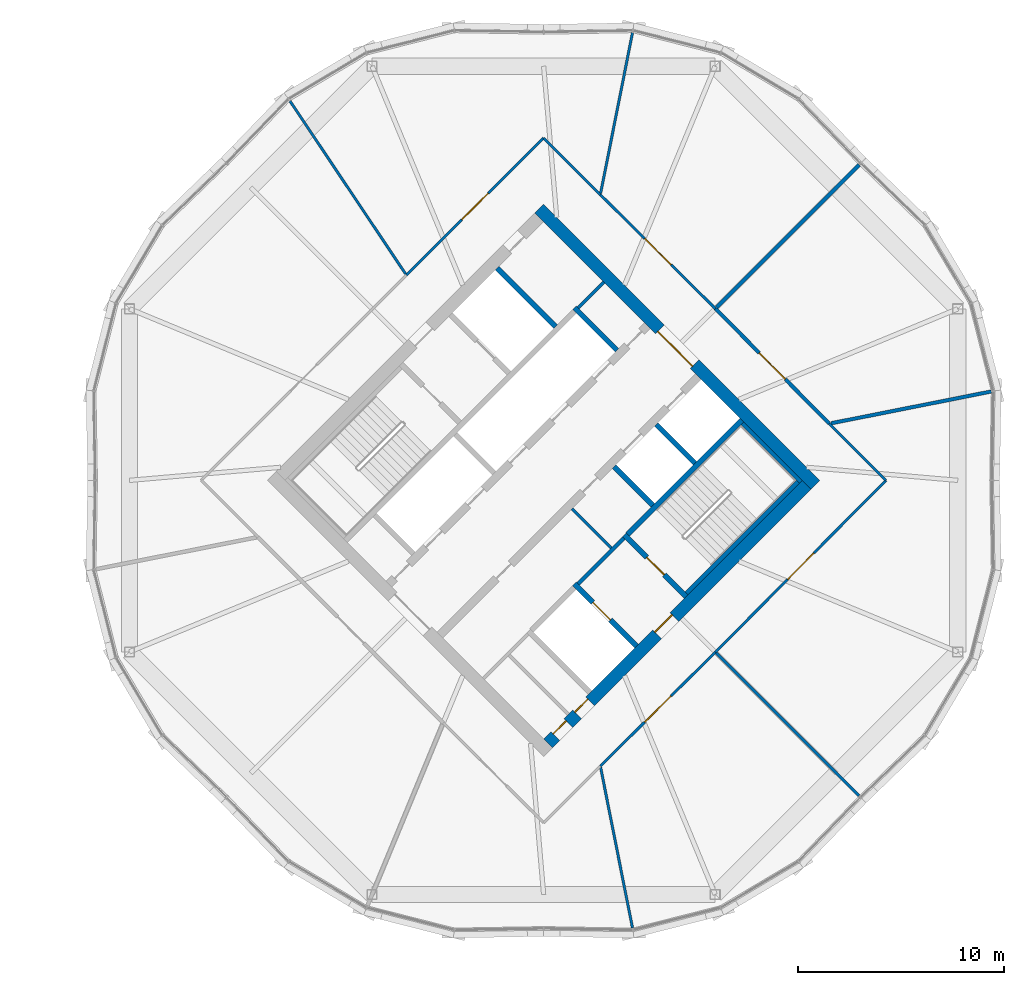
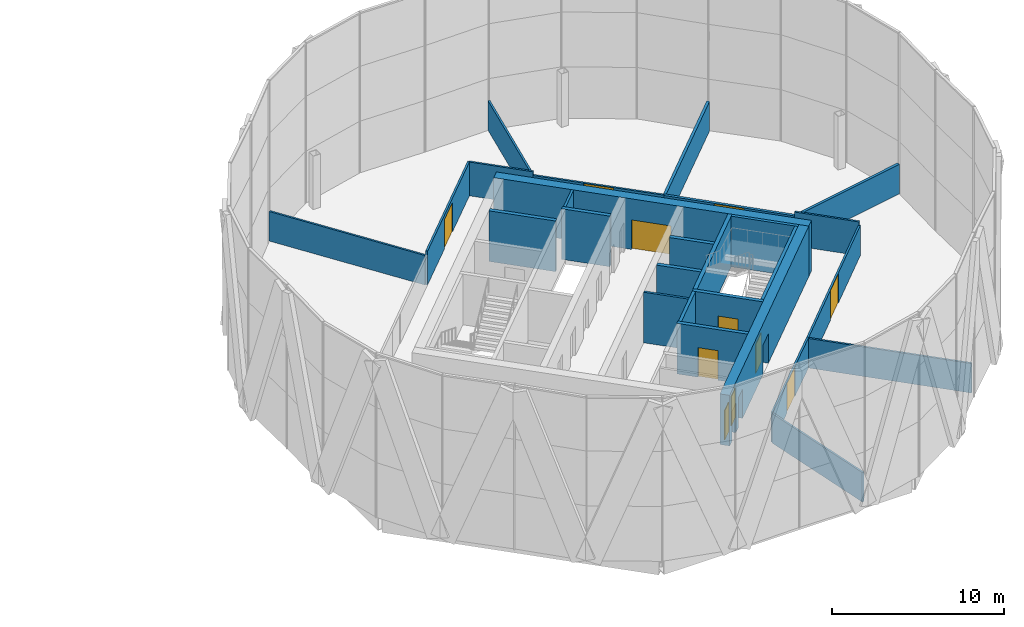
# One storey, part 20 of 23: 27 walls, 11 doors, 11 openings.
"""IFC4 building model written with IfcOpenShell, lengths in metres."""

from ifc_helpers import new_model, si_unit, direction, frame, frame_2d, origin, place, context, subcontext, project, spatial, rectangle, extrude, material, layer, layer_set, type_object, element, fill, save


model = new_model("IFC4")

# Units and contexts
model_context = context("Model", 3, precision=1e-05, world=origin(), true_north=direction((0.0, 1.0)))
body_context = subcontext(model_context, "Body", "Model", "MODEL_VIEW")
ifc_project = project(units=[si_unit("LENGTHUNIT", "METRE"), si_unit("AREAUNIT", "SQUARE_METRE"), si_unit("VOLUMEUNIT", "CUBIC_METRE"), si_unit("PLANEANGLEUNIT", "RADIAN"), si_unit("MASSUNIT", "GRAM", prefix="KILO")], contexts=[model_context])

# Site, building, storey
site_placement = place(None, origin())
site = spatial("IfcSite", under=ifc_project, at=site_placement, CompositionType="ELEMENT")
building_placement = place(site_placement, origin())
building = spatial("IfcBuilding", under=site, at=building_placement, Name="Ogive Gate Towers", CompositionType="ELEMENT")
storey_placement = place(building_placement, frame((0.0, 0.0, 177.300048828125)))
storey = spatial("IfcBuildingStorey", under=building, at=storey_placement, Name="L42", CompositionType="ELEMENT", Elevation=177.300048828125)

# Walls
ifc_material_1 = material(Name="Gypsum board acoustic partition")
ifc_layer_1 = layer(ifc_material_1, 0.175048828125)
ifc_layer_set_1 = layer_set([ifc_layer_1], Name="Acoustic partition 175")
wall_type_1 = type_object("IfcWallType", Name="Acoustic partition 175", PredefinedType="PARTITIONING", material=ifc_layer_set_1)
wall_1_placement = place(storey_placement, frame((57.784423828125, 4.324951171875, 0.0), z_axis=(0.0, 0.0, 1.0), x_axis=(-0.980858380129, -0.19472246437, 0.0)))
element("IfcWall", 1, at=wall_1_placement, inside=storey, type_object=wall_type_1, Name="Partition T2-L42-001", PredefinedType="PARTITIONING", context=body_context, shape_type="SweptSolid", body=[
    extrude(rectangle(XDim=7.951416015625, YDim=0.175048828125, at=frame_2d((3.9755859375, 0.0))), origin(), (0.0, 0.0, 1.0), 2.099853515625),
])
wall_2_placement = place(storey_placement, frame((51.3505859375, 15.3505859375, 0.0), z_axis=(0.0, 0.0, 1.0), x_axis=(-0.707106781187, -0.707106781187, 0.0)))
element("IfcWall", 2, at=wall_2_placement, inside=storey, type_object=wall_type_1, Name="Partition T2-L42-002", PredefinedType="PARTITIONING", context=body_context, shape_type="SweptSolid", body=[
    extrude(rectangle(XDim=9.801513671875, YDim=0.175048828125, at=frame_2d((4.90087890625, 0.0))), origin(), (0.0, 0.0, 1.0), 2.099853515625),
])

# Wall, opening, door
wall_3_placement = place(storey_placement, frame((49.8994140625, 2.759521484375, 0.0), z_axis=(0.0, 0.0, 1.0), x_axis=(-0.703486838198, 0.710708286488, 0.0)))
wall_3 = element("IfcWall", 3, at=wall_3_placement, inside=storey, type_object=wall_type_1, Name="Partition T2-L42-020", PredefinedType="PARTITIONING", context=body_context, shape_type="SweptSolid", body=[
    extrude(rectangle(XDim=7.877197265625, YDim=0.175048828125, at=frame_2d((3.9384765625, 0.0))), origin(), (0.0, 0.0, 1.0), 2.139892578125),
])
opening_1_placement = place(wall_3_placement, frame((3.0390625, 0.0, 0.0)))
opening_1 = element("IfcOpeningElement", 4, at=opening_1_placement, cuts=wall_3, Name="Opening T2-L42-D08", PredefinedType="OPENING", context=body_context, shape_type="SweptSolid", body=[
    extrude(rectangle(XDim=1.800048828125, YDim=2.10009765625, at=frame_2d((0.89990234375, 1.050048828125))), frame((0.0, 0.09765625, 0.0), z_axis=(0.0, -1.0, 0.0), x_axis=(1.0, 0.0, 0.0)), (0.0, 0.0, 1.0), 0.195068359375),
])
ifc_material_2 = material(Name="Timber door", Category="wood")
door_type_1 = type_object("IfcDoorType", Name="Door pair 1800", OperationType="NOTDEFINED", PredefinedType="DOOR", material=ifc_material_2)
door_1_placement = place(opening_1_placement, origin())
door_1 = element("IfcDoor", 5, at=door_1_placement, inside=storey, type_object=door_type_1, Name="Door T2-L42-D08", OperationType="DOUBLE_DOOR_DOUBLE_SWING", OverallHeight=2.10009765625, OverallWidth=1.800048828125, PredefinedType="DOOR", context=body_context, shape_type="SweptSolid", body=[
    extrude(rectangle(XDim=1.800048828125, YDim=2.10009765625, at=frame_2d((0.89990234375, 1.050048828125))), frame((0.0, 0.02490234375, 0.0), z_axis=(0.0, -1.0, 0.0), x_axis=(1.0, 0.0, 0.0)), (0.0, 0.0, 1.0), 0.050048828125),
])
fill(opening_1, door_1)

# Wall
ifc_material_3 = material(Name="Masonry blockwork", Category="masonry")
ifc_layer_2 = layer(ifc_material_3, 0.199951171875)
ifc_layer_set_2 = layer_set([ifc_layer_2], Name="Blockwork wall 200 mm")
wall_type_2 = type_object("IfcWallType", Name="Blockwork wall 200 mm", PredefinedType="PARTITIONING", material=ifc_layer_set_2)
wall_4_placement = place(storey_placement, frame((37.679443359375, -5.0380859375, 0.0), z_axis=(0.0, 0.0, 1.0), x_axis=(0.707106781187, 0.707106781187, 0.0)))
element("IfcWall", 6, at=wall_4_placement, inside=storey, type_object=wall_type_2, Name="T2 L42 Blockwork wall 200 mm", PredefinedType="PARTITIONING", context=body_context, shape_type="SweptSolid", body=[
    extrude(rectangle(XDim=3.14990234375, YDim=0.199951171875, at=frame_2d((1.574951171875, 0.0))), origin(), (0.0, 0.0, 1.0), 3.599853515625),
])

# Wall, openings, doors
ifc_material_4 = material(Name="Concrete C60/75", Category="concrete")
ifc_layer_3 = layer(ifc_material_4, 0.60009765625)
ifc_layer_set_3 = layer_set([ifc_layer_3], Name="Core wall 600 mm")
wall_type_3 = type_object("IfcWallType", Name="Core wall 600 mm", PredefinedType="SHEAR", material=ifc_layer_set_3)
wall_5_placement = place(storey_placement, frame((36.212158203125, -12.798583984375, 0.0), z_axis=(0.0, 0.0, 1.0), x_axis=(0.707106781187, 0.707106781187, 0.0)))
wall_5 = element("IfcWall", 7, at=wall_5_placement, inside=storey, type_object=wall_type_3, Name="T2 L42 Core wall 600 mm", PredefinedType="SHEAR", context=body_context, shape_type="SweptSolid", body=[
    extrude(rectangle(XDim=17.7998046875, YDim=0.60009765625, at=frame_2d((8.89990234375, 0.0))), origin(), (0.0, 0.0, 1.0), 3.599853515625),
])
opening_2_placement = place(wall_5_placement, frame((7.5, 0.0, 0.0)))
opening_2 = element("IfcOpeningElement", 8, at=opening_2_placement, cuts=wall_5, Name="Opening KD-T2-L42-19", PredefinedType="OPENING", context=body_context, shape_type="SweptSolid", body=[
    extrude(rectangle(XDim=1.199951171875, YDim=2.10009765625, at=frame_2d((0.60009765625, 1.050048828125))), frame((0.0, 0.31005859375, 0.0), z_axis=(0.0, -1.0, 0.0), x_axis=(1.0, 0.0, 0.0)), (0.0, 0.0, 1.0), 0.6201171875),
])
opening_3_placement = place(wall_5_placement, frame((0.5, 0.0, 0.0)))
opening_3 = element("IfcOpeningElement", 9, at=opening_3_placement, cuts=wall_5, Name="Opening KD-T2-L42-21", PredefinedType="OPENING", context=body_context, shape_type="SweptSolid", body=[
    extrude(rectangle(XDim=0.89990234375, YDim=2.10009765625, at=frame_2d((0.449951171875, 1.050048828125))), frame((0.0, 0.31005859375, 0.0), z_axis=(0.0, -1.0, 0.0), x_axis=(1.0, 0.0, 0.0)), (0.0, 0.0, 1.0), 0.6201171875),
])
opening_4_placement = place(wall_5_placement, frame((2.0, 0.0, 0.0)))
opening_4 = element("IfcOpeningElement", 10, at=opening_4_placement, cuts=wall_5, Name="Opening KD-T2-L42-22", PredefinedType="OPENING", context=body_context, shape_type="SweptSolid", body=[
    extrude(rectangle(XDim=0.89990234375, YDim=2.10009765625, at=frame_2d((0.449951171875, 1.050048828125))), frame((0.0, 0.31005859375, 0.0), z_axis=(0.0, -1.0, 0.0), x_axis=(1.0, 0.0, 0.0)), (0.0, 0.0, 1.0), 0.6201171875),
])
door_type_2 = type_object("IfcDoorType", Name="Core WC door 900 x 2100", OperationType="NOTDEFINED", PredefinedType="DOOR", material=ifc_material_2)
door_2_placement = place(opening_3_placement, origin())
door_2 = element("IfcDoor", 11, at=door_2_placement, inside=storey, type_object=door_type_2, Name="T2 L42 Core door", OperationType="SINGLE_SWING_RIGHT", OverallHeight=2.10009765625, OverallWidth=0.89990234375, PredefinedType="DOOR", context=body_context, shape_type="SweptSolid", body=[
    extrude(rectangle(XDim=0.89990234375, YDim=2.10009765625, at=frame_2d((0.449951171875, 1.050048828125))), frame((0.0, 0.1748046875, 0.0), z_axis=(0.0, -1.0, 0.0), x_axis=(1.0, 0.0, 0.0)), (0.0, 0.0, 1.0), 0.050048828125),
])
fill(opening_3, door_2)
door_3_placement = place(opening_4_placement, origin())
door_3 = element("IfcDoor", 12, at=door_3_placement, inside=storey, type_object=door_type_2, Name="T2 L42 Core door", OperationType="SINGLE_SWING_LEFT", OverallHeight=2.10009765625, OverallWidth=0.89990234375, PredefinedType="DOOR", context=body_context, shape_type="SweptSolid", body=[
    extrude(rectangle(XDim=0.89990234375, YDim=2.10009765625, at=frame_2d((0.449951171875, 1.050048828125))), frame((0.0, 0.1748046875, 0.0), z_axis=(0.0, -1.0, 0.0), x_axis=(1.0, 0.0, 0.0)), (0.0, 0.0, 1.0), 0.050048828125),
])
fill(opening_4, door_3)
ifc_material_5 = material(Name="Steel fire door", Category="steel")
door_type_3 = type_object("IfcDoorType", Name="Core door FD60S 1200 x 2100", OperationType="NOTDEFINED", PredefinedType="DOOR", material=ifc_material_5)
door_4_placement = place(opening_2_placement, origin())
door_4 = element("IfcDoor", 13, at=door_4_placement, inside=storey, type_object=door_type_3, Name="T2 L42 Fire-fighting lobby door", OperationType="SINGLE_SWING_RIGHT", OverallHeight=2.10009765625, OverallWidth=1.199951171875, PredefinedType="DOOR", context=body_context, shape_type="SweptSolid", body=[
    extrude(rectangle(XDim=1.199951171875, YDim=2.10009765625, at=frame_2d((0.60009765625, 1.050048828125))), frame((0.0, 0.1748046875, 0.0), z_axis=(0.0, -1.0, 0.0), x_axis=(1.0, 0.0, 0.0)), (0.0, 0.0, 1.0), 0.050048828125),
])
fill(opening_2, door_4)

# Wall, opening, door
wall_6_placement = place(storey_placement, frame((49.222900390625, -0.212158203125, 0.0), z_axis=(0.0, 0.0, 1.0), x_axis=(-0.707106781187, 0.707106781187, 0.0)))
wall_6 = element("IfcWall", 14, at=wall_6_placement, inside=storey, type_object=wall_type_3, Name="T2 L42 Core wall 600 mm", PredefinedType="SHEAR", context=body_context, shape_type="SweptSolid", body=[
    extrude(rectangle(XDim=19.0, YDim=0.60009765625, at=frame_2d((9.5, 0.0))), origin(), (0.0, 0.0, 1.0), 3.599853515625),
])
opening_5_placement = place(wall_6_placement, frame((8.300048828125, 0.0, 0.0)))
opening_5 = element("IfcOpeningElement", 15, at=opening_5_placement, cuts=wall_6, Name="Opening KD-T2-L42-02", PredefinedType="OPENING", context=body_context, shape_type="SweptSolid", body=[
    extrude(rectangle(XDim=2.39990234375, YDim=2.10009765625, at=frame_2d((1.199951171875, 1.050048828125))), frame((0.0, 0.31005859375, 0.0), z_axis=(0.0, -1.0, 0.0), x_axis=(1.0, 0.0, 0.0)), (0.0, 0.0, 1.0), 0.6201171875),
])
door_type_4 = type_object("IfcDoorType", Name="Core double door FD60S 2400 x 2100", OperationType="DOUBLE_DOOR_SINGLE_SWING", PredefinedType="DOOR", material=ifc_material_5)
door_5_placement = place(opening_5_placement, origin())
door_5 = element("IfcDoor", 16, at=door_5_placement, inside=storey, type_object=door_type_4, Name="T2 L42 Core door double", OperationType="DOUBLE_DOOR_SINGLE_SWING", OverallHeight=2.10009765625, OverallWidth=2.39990234375, PredefinedType="DOOR", context=body_context, shape_type="SweptSolid", body=[
    extrude(rectangle(XDim=2.39990234375, YDim=2.10009765625, at=frame_2d((1.199951171875, 1.050048828125))), frame((0.0, 0.1748046875, 0.0), z_axis=(0.0, -1.0, 0.0), x_axis=(1.0, 0.0, 0.0)), (0.0, 0.0, 1.0), 0.050048828125),
])
fill(opening_5, door_5)

# Walls
ifc_material_6 = material(Name="Gypsum board partition")
ifc_layer_4 = layer(ifc_material_6, 0.125)
ifc_layer_set_4 = layer_set([ifc_layer_4], Name="Partition 125")
wall_type_4 = type_object("IfcWallType", Name="Partition 125", PredefinedType="PARTITIONING", material=ifc_layer_set_4)
wall_7_placement = place(storey_placement, frame((40.324951171875, 21.784423828125, 0.0), z_axis=(0.0, 0.0, 1.0), x_axis=(-0.194756262112, -0.980851669911, 0.0)))
element("IfcWall", 17, at=wall_7_placement, inside=storey, type_object=wall_type_4, Name="Partition T2-L42-003", PredefinedType="PARTITIONING", context=body_context, shape_type="SweptSolid", body=[
    extrude(rectangle(XDim=7.9765625, YDim=0.125, at=frame_2d((3.98828125, 0.0))), origin(), (0.0, 0.0, 1.0), 2.099853515625),
])
wall_8_placement = place(storey_placement, frame((23.654296875, 18.462158203125, 0.0), z_axis=(0.0, 0.0, 1.0), x_axis=(0.555873550817, -0.831266861785, 0.0)))
element("IfcWall", 18, at=wall_8_placement, inside=storey, type_object=wall_type_4, Name="Partition T2-L42-004", PredefinedType="PARTITIONING", context=body_context, shape_type="SweptSolid", body=[
    extrude(rectangle(XDim=10.126708984375, YDim=0.125, at=frame_2d((5.0634765625, 0.0))), origin(), (0.0, 0.0, 1.0), 2.099853515625),
])
wall_9_placement = place(storey_placement, frame((40.324951171875, -21.784423828125, 0.0), z_axis=(0.0, 0.0, 1.0), x_axis=(-0.194756262112, 0.980851669911, 0.0)))
element("IfcWall", 19, at=wall_9_placement, inside=storey, type_object=wall_type_4, Name="Partition T2-L42-007", PredefinedType="PARTITIONING", context=body_context, shape_type="SweptSolid", body=[
    extrude(rectangle(XDim=7.9765625, YDim=0.125, at=frame_2d((3.98828125, 0.0))), origin(), (0.0, 0.0, 1.0), 2.099853515625),
])
wall_10_placement = place(storey_placement, frame((51.3505859375, -15.3505859375, 0.0), z_axis=(0.0, 0.0, 1.0), x_axis=(-0.707106781187, 0.707106781187, 0.0)))
element("IfcWall", 20, at=wall_10_placement, inside=storey, type_object=wall_type_4, Name="Partition T2-L42-008", PredefinedType="PARTITIONING", context=body_context, shape_type="SweptSolid", body=[
    extrude(rectangle(XDim=9.82666015625, YDim=0.125, at=frame_2d((4.913330078125, 0.0))), origin(), (0.0, 0.0, 1.0), 2.099853515625),
])

# Wall, opening, door
wall_11_placement = place(storey_placement, frame((44.35791015625, 8.35791015625, 0.0), z_axis=(0.0, 0.0, 1.0), x_axis=(-0.710708286488, 0.703486838198, 0.0)))
wall_11 = element("IfcWall", 21, at=wall_11_placement, inside=storey, type_object=wall_type_4, Name="Partition T2-L42-009", PredefinedType="PARTITIONING", context=body_context, shape_type="SweptSolid", body=[
    extrude(rectangle(XDim=7.877197265625, YDim=0.125, at=frame_2d((3.9384765625, 0.0))), origin(), (0.0, 0.0, 1.0), 2.139892578125),
])
opening_6_placement = place(wall_11_placement, frame((3.0390625, 0.0, 0.0)))
opening_6 = element("IfcOpeningElement", 22, at=opening_6_placement, cuts=wall_11, Name="Opening T2-L42-D01", PredefinedType="OPENING", context=body_context, shape_type="SweptSolid", body=[
    extrude(rectangle(XDim=1.800048828125, YDim=2.10009765625, at=frame_2d((0.89990234375, 1.050048828125))), frame((0.0, 0.072509765625, 0.0), z_axis=(0.0, -1.0, 0.0), x_axis=(1.0, 0.0, 0.0)), (0.0, 0.0, 1.0), 0.14501953125),
])
door_6_placement = place(opening_6_placement, origin())
door_6 = element("IfcDoor", 23, at=door_6_placement, inside=storey, type_object=door_type_1, Name="Door T2-L42-D01", OperationType="DOUBLE_DOOR_DOUBLE_SWING", OverallHeight=2.10009765625, OverallWidth=1.800048828125, PredefinedType="DOOR", context=body_context, shape_type="SweptSolid", body=[
    extrude(rectangle(XDim=1.800048828125, YDim=2.10009765625, at=frame_2d((0.89990234375, 1.050048828125))), frame((0.0, 0.02490234375, 0.0), z_axis=(0.0, -1.0, 0.0), x_axis=(1.0, 0.0, 0.0)), (0.0, 0.0, 1.0), 0.050048828125),
])
fill(opening_6, door_6)

wall_12_placement = place(storey_placement, frame((36.0, 16.659423828125, 0.0), z_axis=(0.0, 0.0, 1.0), x_axis=(-0.707882286936, -0.706330423981, 0.0)))
wall_12 = element("IfcWall", 24, at=wall_12_placement, inside=storey, type_object=wall_type_4, Name="Partition T2-L42-010", PredefinedType="PARTITIONING", context=body_context, shape_type="SweptSolid", body=[
    extrude(rectangle(XDim=9.439208984375, YDim=0.125, at=frame_2d((4.7197265625, 0.0))), origin(), (0.0, 0.0, 1.0), 2.39990234375),
])
opening_7_placement = place(wall_12_placement, frame((3.820068359375, 0.0, 0.0)))
opening_7 = element("IfcOpeningElement", 25, at=opening_7_placement, cuts=wall_12, Name="Opening T2-L42-D02", PredefinedType="OPENING", context=body_context, shape_type="SweptSolid", body=[
    extrude(rectangle(XDim=1.800048828125, YDim=2.10009765625, at=frame_2d((0.89990234375, 1.050048828125))), frame((0.0, 0.072509765625, 0.0), z_axis=(0.0, -1.0, 0.0), x_axis=(1.0, 0.0, 0.0)), (0.0, 0.0, 1.0), 0.14501953125),
])
door_7_placement = place(opening_7_placement, origin())
door_7 = element("IfcDoor", 26, at=door_7_placement, inside=storey, type_object=door_type_1, Name="Door T2-L42-D02", OperationType="DOUBLE_DOOR_DOUBLE_SWING", OverallHeight=2.10009765625, OverallWidth=1.800048828125, PredefinedType="DOOR", context=body_context, shape_type="SweptSolid", body=[
    extrude(rectangle(XDim=1.800048828125, YDim=2.10009765625, at=frame_2d((0.89990234375, 1.050048828125))), frame((0.0, 0.02490234375, 0.0), z_axis=(0.0, -1.0, 0.0), x_axis=(1.0, 0.0, 0.0)), (0.0, 0.0, 1.0), 0.050048828125),
])
fill(opening_7, door_7)

# Wall
wall_13_placement = place(storey_placement, frame((38.759521484375, 13.8994140625, 0.0), z_axis=(0.0, 0.0, 1.0), x_axis=(-0.707044224741, 0.707169332098, 0.0)))
element("IfcWall", 27, at=wall_13_placement, inside=storey, type_object=wall_type_4, Name="Partition T2-L42-011", PredefinedType="PARTITIONING", context=body_context, shape_type="SweptSolid", body=[
    extrude(rectangle(XDim=3.90283203125, YDim=0.125, at=frame_2d((1.951416015625, 0.0))), origin(), (0.0, 0.0, 1.0), 2.39990234375),
])

# Wall, opening, door
wall_14_placement = place(storey_placement, frame((38.759521484375, -13.8994140625, 0.0), z_axis=(0.0, 0.0, 1.0), x_axis=(0.710708286488, 0.703486838198, 0.0)))
wall_14 = element("IfcWall", 28, at=wall_14_placement, inside=storey, type_object=wall_type_4, Name="Partition T2-L42-017", PredefinedType="PARTITIONING", context=body_context, shape_type="SweptSolid", body=[
    extrude(rectangle(XDim=7.877197265625, YDim=0.125, at=frame_2d((3.9384765625, 0.0))), origin(), (0.0, 0.0, 1.0), 2.139892578125),
])
opening_8_placement = place(wall_14_placement, frame((3.0390625, 0.0, 0.0)))
opening_8 = element("IfcOpeningElement", 29, at=opening_8_placement, cuts=wall_14, Name="Opening T2-L42-D06", PredefinedType="OPENING", context=body_context, shape_type="SweptSolid", body=[
    extrude(rectangle(XDim=1.800048828125, YDim=2.10009765625, at=frame_2d((0.89990234375, 1.050048828125))), frame((0.0, 0.072509765625, 0.0), z_axis=(0.0, -1.0, 0.0), x_axis=(1.0, 0.0, 0.0)), (0.0, 0.0, 1.0), 0.14501953125),
])
door_8_placement = place(opening_8_placement, origin())
door_8 = element("IfcDoor", 30, at=door_8_placement, inside=storey, type_object=door_type_1, Name="Door T2-L42-D06", OperationType="DOUBLE_DOOR_DOUBLE_SWING", OverallHeight=2.10009765625, OverallWidth=1.800048828125, PredefinedType="DOOR", context=body_context, shape_type="SweptSolid", body=[
    extrude(rectangle(XDim=1.800048828125, YDim=2.10009765625, at=frame_2d((0.89990234375, 1.050048828125))), frame((0.0, 0.02490234375, 0.0), z_axis=(0.0, -1.0, 0.0), x_axis=(1.0, 0.0, 0.0)), (0.0, 0.0, 1.0), 0.050048828125),
])
fill(opening_8, door_8)

wall_15_placement = place(storey_placement, frame((44.35791015625, -8.35791015625, 0.0), z_axis=(0.0, 0.0, 1.0), x_axis=(0.70470900278, 0.709496456229, 0.0)))
wall_15 = element("IfcWall", 31, at=wall_15_placement, inside=storey, type_object=wall_type_4, Name="Partition T2-L42-018", PredefinedType="PARTITIONING", context=body_context, shape_type="SweptSolid", body=[
    extrude(rectangle(XDim=11.780029296875, YDim=0.125, at=frame_2d((5.89013671875, 0.0))), origin(), (0.0, 0.0, 1.0), 2.139892578125),
])
opening_9_placement = place(wall_15_placement, frame((4.989990234375, 0.0, 0.0)))
opening_9 = element("IfcOpeningElement", 32, at=opening_9_placement, cuts=wall_15, Name="Opening T2-L42-D07", PredefinedType="OPENING", context=body_context, shape_type="SweptSolid", body=[
    extrude(rectangle(XDim=1.800048828125, YDim=2.10009765625, at=frame_2d((0.89990234375, 1.050048828125))), frame((0.0, 0.072509765625, 0.0), z_axis=(0.0, -1.0, 0.0), x_axis=(1.0, 0.0, 0.0)), (0.0, 0.0, 1.0), 0.14501953125),
])
door_9_placement = place(opening_9_placement, origin())
door_9 = element("IfcDoor", 33, at=door_9_placement, inside=storey, type_object=door_type_1, Name="Door T2-L42-D07", OperationType="DOUBLE_DOOR_DOUBLE_SWING", OverallHeight=2.10009765625, OverallWidth=1.800048828125, PredefinedType="DOOR", context=body_context, shape_type="SweptSolid", body=[
    extrude(rectangle(XDim=1.800048828125, YDim=2.10009765625, at=frame_2d((0.89990234375, 1.050048828125))), frame((0.0, 0.02490234375, 0.0), z_axis=(0.0, -1.0, 0.0), x_axis=(1.0, 0.0, 0.0)), (0.0, 0.0, 1.0), 0.050048828125),
])
fill(opening_9, door_9)

# Walls
wall_16_placement = place(storey_placement, frame((52.659423828125, 0.0, 0.0), z_axis=(0.0, 0.0, 1.0), x_axis=(-0.707169332098, 0.707044224741, 0.0)))
element("IfcWall", 34, at=wall_16_placement, inside=storey, type_object=wall_type_4, Name="Partition T2-L42-019", PredefinedType="PARTITIONING", context=body_context, shape_type="SweptSolid", body=[
    extrude(rectangle(XDim=3.90283203125, YDim=0.125, at=frame_2d((1.951416015625, 0.0))), origin(), (0.0, 0.0, 1.0), 2.39990234375),
])
ifc_layer_5 = layer(ifc_material_6, 0.14990234375)
ifc_layer_set_5 = layer_set([ifc_layer_5], Name="Room partition 150 mm")
wall_type_5 = type_object("IfcWallType", Name="Room partition 150 mm", PredefinedType="PARTITIONING", material=ifc_layer_set_5)
wall_17_placement = place(storey_placement, frame((37.679443359375, 8.39697265625, 0.0), z_axis=(0.0, 0.0, 1.0), x_axis=(0.707106781187, 0.707106781187, 0.0)))
element("IfcWall", 35, at=wall_17_placement, inside=storey, type_object=wall_type_5, Name="T2 L42 Room partition 150 mm", PredefinedType="PARTITIONING", context=body_context, shape_type="SweptSolid", body=[
    extrude(rectangle(XDim=1.77490234375, YDim=0.14990234375, at=frame_2d((0.887451171875, 0.0))), origin(), (0.0, 0.0, 1.0), 3.599853515625),
])
wall_18_placement = place(storey_placement, frame((39.2880859375, -3.2880859375, 0.0), z_axis=(0.0, 0.0, 1.0), x_axis=(-0.707106781187, 0.707106781187, 0.0)))
element("IfcWall", 36, at=wall_18_placement, inside=storey, type_object=wall_type_5, Name="T2 L42 Room partition 150 mm", PredefinedType="PARTITIONING", context=body_context, shape_type="SweptSolid", body=[
    extrude(rectangle(XDim=2.699951171875, YDim=0.14990234375, at=frame_2d((1.35009765625, 0.0))), origin(), (0.0, 0.0, 1.0), 3.599853515625),
])
ifc_layer_6 = layer(ifc_material_4, 0.25)
ifc_layer_set_6 = layer_set([ifc_layer_6], Name="Shaft wall 250 mm")
wall_type_6 = type_object("IfcWallType", Name="Shaft wall 250 mm", PredefinedType="SHEAR", material=ifc_layer_set_6)
wall_19_placement = place(storey_placement, frame((40.08349609375, -2.634033203125, 0.0), z_axis=(0.0, 0.0, 1.0), x_axis=(0.707106781187, 0.707106781187, 0.0)))
element("IfcWall", 37, at=wall_19_placement, inside=storey, type_object=wall_type_6, Name="T2 L42 Shaft wall 250 mm", PredefinedType="SHEAR", context=body_context, shape_type="SweptSolid", body=[
    extrude(rectangle(XDim=7.875244140625, YDim=0.25, at=frame_2d((3.9375, 0.0))), origin(), (0.0, 0.0, 1.0), 3.599853515625),
])

# Wall, opening, door
wall_20_placement = place(storey_placement, frame((40.525390625, -8.06103515625, 0.0), z_axis=(0.0, 0.0, 1.0), x_axis=(-0.707078225638, 0.707135335582, 0.0)))
wall_20 = element("IfcWall", 38, at=wall_20_placement, inside=storey, type_object=wall_type_6, Name="T2 L42 Shaft wall 250 mm", PredefinedType="SHEAR", context=body_context, shape_type="SweptSolid", body=[
    extrude(rectangle(XDim=4.27490234375, YDim=0.25, at=frame_2d((2.137451171875, 0.0))), origin(), (0.0, 0.0, 1.0), 3.599853515625),
])
opening_10_placement = place(wall_20_placement, frame((1.800048828125, 0.0, 0.0)))
opening_10 = element("IfcOpeningElement", 39, at=opening_10_placement, cuts=wall_20, Name="Opening LD-T2-L42-13", PredefinedType="OPENING", context=body_context, shape_type="SweptSolid", body=[
    extrude(rectangle(XDim=1.199951171875, YDim=2.10009765625, at=frame_2d((0.60009765625, 1.050048828125))), frame((0.0, 0.135009765625, 0.0), z_axis=(0.0, -1.0, 0.0), x_axis=(1.0, 0.0, 0.0)), (0.0, 0.0, 1.0), 0.27001953125),
])
ifc_material_7 = material(Name="Stainless steel landing door", Category="steel")
door_type_5 = type_object("IfcDoorType", Name="Landing door 1200 x 2100", OperationType="SLIDING_TO_LEFT", PredefinedType="DOOR", material=ifc_material_7)
door_10_placement = place(opening_10_placement, origin())
door_10 = element("IfcDoor", 40, at=door_10_placement, inside=storey, type_object=door_type_5, Name="T2 L42 Lift landing door FF2", OperationType="SLIDING_TO_LEFT", OverallHeight=2.10009765625, OverallWidth=1.199951171875, PredefinedType="DOOR", context=body_context, shape_type="SweptSolid", body=[
    extrude(rectangle(XDim=1.199951171875, YDim=2.10009765625, at=frame_2d((0.60009765625, 1.050048828125))), frame((0.0, 0.02490234375, 0.0), z_axis=(0.0, -1.0, 0.0), x_axis=(1.0, 0.0, 0.0)), (0.0, 0.0, 1.0), 0.050048828125),
])
fill(opening_10, door_10)

wall_21_placement = place(storey_placement, frame((42.9296875, -5.656982421875, 0.0), z_axis=(0.0, 0.0, 1.0), x_axis=(-0.707106781187, 0.707106781187, 0.0)))
wall_21 = element("IfcWall", 41, at=wall_21_placement, inside=storey, type_object=wall_type_6, Name="T2 L42 Shaft wall 250 mm", PredefinedType="SHEAR", context=body_context, shape_type="SweptSolid", body=[
    extrude(rectangle(XDim=4.250244140625, YDim=0.25, at=frame_2d((2.125, 0.0))), origin(), (0.0, 0.0, 1.0), 3.599853515625),
])
opening_11_placement = place(wall_21_placement, frame((1.5, 0.0, 0.0)))
opening_11 = element("IfcOpeningElement", 42, at=opening_11_placement, cuts=wall_21, Name="Opening KD-T2-L42-17", PredefinedType="OPENING", context=body_context, shape_type="SweptSolid", body=[
    extrude(rectangle(XDim=1.199951171875, YDim=2.10009765625, at=frame_2d((0.60009765625, 1.050048828125))), frame((0.0, 0.135009765625, 0.0), z_axis=(0.0, -1.0, 0.0), x_axis=(1.0, 0.0, 0.0)), (0.0, 0.0, 1.0), 0.27001953125),
])
door_11_placement = place(opening_11_placement, origin())
door_11 = element("IfcDoor", 43, at=door_11_placement, inside=storey, type_object=door_type_3, Name="T2 L42 Stair door", OperationType="SINGLE_SWING_RIGHT", OverallHeight=2.10009765625, OverallWidth=1.199951171875, PredefinedType="DOOR", context=body_context, shape_type="SweptSolid", body=[
    extrude(rectangle(XDim=1.199951171875, YDim=2.10009765625, at=frame_2d((0.60009765625, 1.050048828125))), frame((0.0, 0.02490234375, 0.0), z_axis=(0.0, -1.0, 0.0), x_axis=(1.0, 0.0, 0.0)), (0.0, 0.0, 1.0), 0.050048828125),
])
fill(opening_11, door_11)

# Walls
wall_22_placement = place(storey_placement, frame((41.321044921875, -1.2197265625, 0.0), z_axis=(0.0, 0.0, 1.0), x_axis=(-0.707106781187, 0.707106781187, 0.0)))
element("IfcWall", 44, at=wall_22_placement, inside=storey, type_object=wall_type_6, Name="T2 L42 Shaft wall 250 mm", PredefinedType="SHEAR", context=body_context, shape_type="SweptSolid", body=[
    extrude(rectangle(XDim=2.675048828125, YDim=0.25, at=frame_2d((1.33740234375, 0.0))), origin(), (0.0, 0.0, 1.0), 3.599853515625),
])
wall_23_placement = place(storey_placement, frame((36.58349609375, 7.477783203125, 0.0), z_axis=(0.0, 0.0, 1.0), x_axis=(-0.707137108942, 0.70707645213, 0.0)))
element("IfcWall", 45, at=wall_23_placement, inside=storey, type_object=wall_type_6, Name="T2 L42 Shaft wall 250 mm", PredefinedType="SHEAR", context=body_context, shape_type="SweptSolid", body=[
    extrude(rectangle(XDim=4.02490234375, YDim=0.25, at=frame_2d((2.012451171875, 0.0))), origin(), (0.0, 0.0, 1.0), 3.599853515625),
])
wall_24_placement = place(storey_placement, frame((43.37158203125, 0.830810546875, 0.0), z_axis=(0.0, 0.0, 1.0), x_axis=(-0.707106781187, 0.707106781187, 0.0)))
element("IfcWall", 46, at=wall_24_placement, inside=storey, type_object=wall_type_6, Name="T2 L42 Shaft wall 250 mm", PredefinedType="SHEAR", context=body_context, shape_type="SweptSolid", body=[
    extrude(rectangle(XDim=2.675048828125, YDim=0.25, at=frame_2d((1.33740234375, 0.0))), origin(), (0.0, 0.0, 1.0), 3.599853515625),
])
wall_25_placement = place(storey_placement, frame((39.57080078125, 6.32861328125, 0.0), z_axis=(0.0, 0.0, 1.0), x_axis=(-0.707065045505, 0.707148514405, 0.0)))
element("IfcWall", 47, at=wall_25_placement, inside=storey, type_object=wall_type_6, Name="T2 L42 Shaft wall 250 mm", PredefinedType="SHEAR", context=body_context, shape_type="SweptSolid", body=[
    extrude(rectangle(XDim=2.925048828125, YDim=0.25, at=frame_2d((1.46240234375, 0.0))), origin(), (0.0, 0.0, 1.0), 3.599853515625),
])
ifc_layer_7 = layer(ifc_material_4, 0.199951171875)
ifc_layer_set_7 = layer_set([ifc_layer_7], Name="Stair wall 200 mm")
wall_type_7 = type_object("IfcWallType", Name="Stair wall 200 mm", PredefinedType="SHEAR", material=ifc_layer_set_7)
wall_26_placement = place(storey_placement, frame((42.947265625, -5.497802734375, 0.0), z_axis=(0.0, 0.0, 1.0), x_axis=(0.707122685701, 0.707090876314, 0.0)))
element("IfcWall", 48, at=wall_26_placement, inside=storey, type_object=wall_type_7, Name="T2 L42 Stair wall 200 mm", PredefinedType="SHEAR", context=body_context, shape_type="SweptSolid", body=[
    extrude(rectangle(XDim=7.675048828125, YDim=0.199951171875, at=frame_2d((3.83740234375, 0.0))), origin(), (0.0, 0.0, 1.0), 3.599853515625),
])
wall_27_placement = place(storey_placement, frame((48.515869140625, -0.07080078125, 0.0), z_axis=(0.0, 0.0, 1.0), x_axis=(-0.707106781187, 0.707106781187, 0.0)))
element("IfcWall", 49, at=wall_27_placement, inside=storey, type_object=wall_type_7, Name="T2 L42 Stair wall 200 mm", PredefinedType="SHEAR", context=body_context, shape_type="SweptSolid", body=[
    extrude(rectangle(XDim=4.025146484375, YDim=0.199951171875, at=frame_2d((2.0126953125, 0.0))), origin(), (0.0, 0.0, 1.0), 3.599853515625),
])

save(model, "model.ifc")
